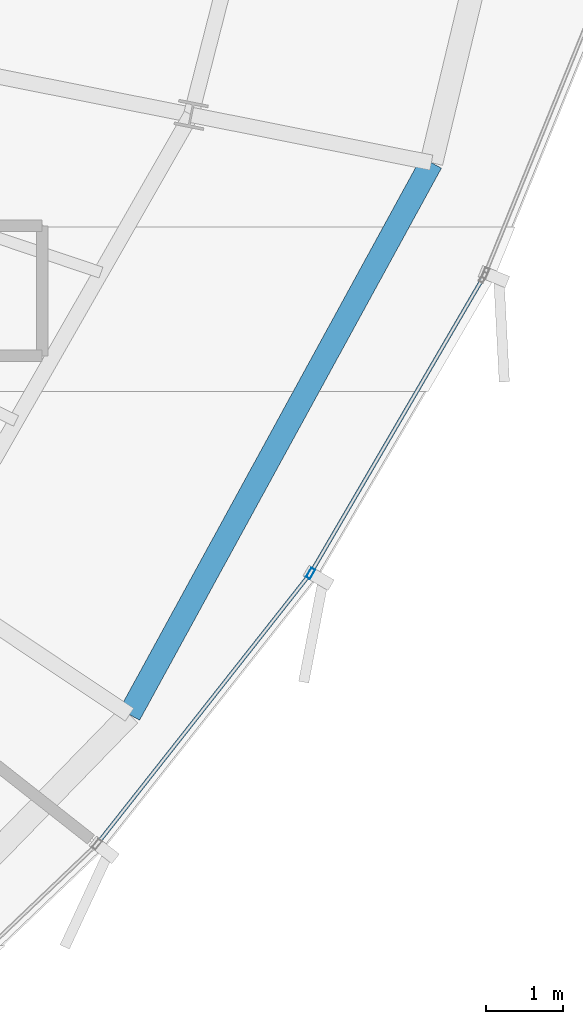
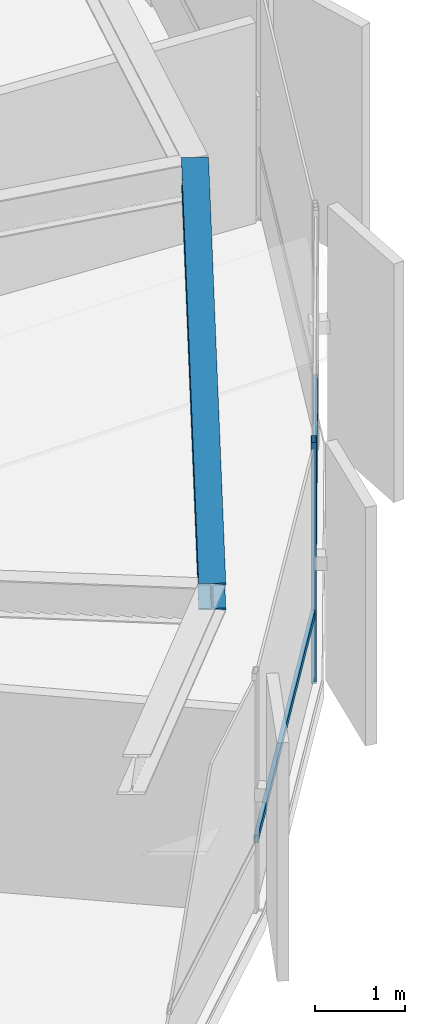
# One storey, part 15 of 35: 3 members, 1 beam, 1 element without a shape of its own.
"""IFC4 building model written with IfcOpenShell, lengths in metres."""

from ifc_helpers import new_model, si_unit, direction, frame, origin, origin_2d, place, context, subcontext, project, spatial, hollow_rectangle, i_section, extrude, source, transform, mapped, material, layer, layer_set, material_profile, profile_set, type_object, element, aggregate, save


model = new_model("IFC4")

# Units and contexts
model_context = context("Model", 3, precision=1e-05, world=origin(), true_north=direction((0.0, 1.0)))
body_context = subcontext(model_context, "Body", "Model", "MODEL_VIEW")
ifc_project = project(units=[si_unit("LENGTHUNIT", "METRE"), si_unit("AREAUNIT", "SQUARE_METRE"), si_unit("VOLUMEUNIT", "CUBIC_METRE"), si_unit("PLANEANGLEUNIT", "RADIAN"), si_unit("MASSUNIT", "GRAM", prefix="KILO"), si_unit("THERMODYNAMICTEMPERATUREUNIT", "KELVIN")], contexts=[model_context])

# Site, building, storey
site_placement = place(None, origin())
site = spatial("IfcSite", under=ifc_project, at=site_placement, CompositionType="ELEMENT")
building_placement = place(site_placement, origin())
building = spatial("IfcBuilding", under=site, at=building_placement, Name="Kethvar Cultural Tower", CompositionType="ELEMENT")
storey_placement = place(building_placement, frame((0.0, 0.0, 193.89990234375)))
storey = spatial("IfcBuildingStorey", under=building, at=storey_placement, Name="L50", CompositionType="ELEMENT", Elevation=193.89990234375)

# Beam
ifc_material_1 = material(Name="Steel S355J2", Category="steel")
ifc_material_profile_1 = material_profile(ifc_material_1, i_section(OverallWidth=0.300048828125, OverallDepth=0.360107421875, WebThickness=0.012451171875, FlangeThickness=0.0224609375, FilletRadius=0.027099609375, at=origin_2d()), Name="Steel S355J2 — HEB360")
ifc_profile_set_1 = profile_set([ifc_material_profile_1], Name="Steel S355J2 — HEB360")
beam_type = type_object("IfcBeamType", Name="BM-SP360", PredefinedType="SPANDREL", material=ifc_profile_set_1)
shared_shape_1 = source(origin(), body_context, "Body", "SweptSolid", [
    extrude(i_section(OverallWidth=0.300048828125, OverallDepth=0.360107421875, WebThickness=0.012451171875, FlangeThickness=0.0224609375, FilletRadius=0.027099609375, at=origin_2d()), origin(), (0.0, 0.0, 1.0), 8.22119140625),
])
beam_placement = place(storey_placement, frame((63.84326171875, 16.412109375, 3.078125), z_axis=(0.479721613821, 0.8774207504, 0.0), x_axis=(-0.8774207504, 0.479721613821, 0.0)))
element("IfcBeam", 1, at=beam_placement, inside=storey, type_object=beam_type, Name="L50 Perimeter Spandrel Beam SP-15", PredefinedType="SPANDREL", context=body_context, shape_type="MappedRepresentation", body=[
    mapped(shared_shape_1, transform((0.0, 0.0, 0.0), scale=1.0)),
])

# Curtain wall, members
ifc_material_2 = material(Name="Aluminium 6063-T6", Category="aluminium")
ifc_layer = layer(ifc_material_2, 0.179931640625, Name="Aluminium 6063-T6", Category="aluminium")
ifc_layer_set = layer_set([ifc_layer], Name="Aluminium 6063-T6 (180 mm)")
curtain_wall_type = type_object("IfcCurtainWallType", Name="CW-SYS-04-Z34", PredefinedType="NOTDEFINED", material=ifc_layer_set)
curtain_wall_placement = place(storey_placement, origin())
curtain_wall = element("IfcCurtainWall", 2, at=curtain_wall_placement, inside=storey, type_object=curtain_wall_type, Name="L50 Curtain Wall Run 05", PredefinedType="NOTDEFINED")
ifc_material_profile_2 = material_profile(ifc_material_2, hollow_rectangle(XDim=0.06005859375, YDim=0.139892578125, WallThickness=0.0048828125, at=origin_2d()), Name="Aluminium 6063-T6 — RHS140x60x5")
ifc_profile_set_2 = profile_set([ifc_material_profile_2], Name="Aluminium 6063-T6 — RHS140x60x5")
member_type_1 = type_object("IfcMemberType", Name="CW-SYS-04-Z34-MUL", PredefinedType="MULLION", material=ifc_profile_set_2)
shared_shape_2 = source(origin(), body_context, "Body", "SweptSolid", [
    extrude(hollow_rectangle(XDim=0.06005859375, YDim=0.139892578125, WallThickness=0.0048828125, at=origin_2d()), origin(), (0.0, 0.0, 1.0), 3.260009765625),
])
member_1_placement = place(storey_placement, frame((66.209716796875, 18.259765625, 0.0), z_axis=(0.0, 0.0, 1.0), x_axis=(-0.863694791291, 0.50401518578, 0.0)))
member_1 = element("IfcMember", 3, at=member_1_placement, type_object=member_type_1, Name="CW-L50-R05 Mullion 6", PredefinedType="MULLION", context=body_context, shape_type="MappedRepresentation", body=[
    mapped(shared_shape_2, transform((0.0, 0.0, 0.0), scale=1.0)),
])
ifc_material_profile_3 = material_profile(ifc_material_2, hollow_rectangle(XDim=0.050048828125, YDim=0.10009765625, WallThickness=0.00390625, at=origin_2d()), Name="Aluminium 6063-T6 — RHS100x50x4")
ifc_profile_set_3 = profile_set([ifc_material_profile_3], Name="Aluminium 6063-T6 — RHS100x50x4")
member_type_2 = type_object("IfcMemberType", Name="CW-SYS-04-Z34-TRN", PredefinedType="USERDEFINED", material=ifc_profile_set_3)
shared_shape_3 = source(origin(), body_context, "Body", "SweptSolid", [
    extrude(hollow_rectangle(XDim=0.050048828125, YDim=0.10009765625, WallThickness=0.00390625, at=origin_2d()), origin(), (0.0, 0.0, 1.0), 4.428955078125),
])
member_2_placement = place(storey_placement, frame((66.2314453125, 18.297119140625, 0.9501953125), z_axis=(0.504008117689, 0.863698915887, 0.0), x_axis=(-0.863698915887, 0.504008117689, 0.0)))
member_2 = element("IfcMember", 4, at=member_2_placement, type_object=member_type_2, Name="CW-L50-R05 Transom 6", ObjectType="TRANSOM", PredefinedType="USERDEFINED", context=body_context, shape_type="MappedRepresentation", body=[
    mapped(shared_shape_3, transform((0.0, 0.0, 0.0), scale=1.0)),
])
shared_shape_4 = source(origin(), body_context, "Body", "SweptSolid", [
    extrude(hollow_rectangle(XDim=0.050048828125, YDim=0.10009765625, WallThickness=0.00390625, at=origin_2d()), origin(), (0.0, 0.0, 1.0), 4.437744140625),
])
member_3_placement = place(storey_placement, frame((63.444091796875, 14.753662109375, 0.9501953125), z_axis=(0.619137571891, 0.785282539646, 0.0), x_axis=(-0.785282539646, 0.619137571891, 0.0)))
member_3 = element("IfcMember", 5, at=member_3_placement, type_object=member_type_2, Name="CW-L50-R05 Transom 5", ObjectType="TRANSOM", PredefinedType="USERDEFINED", context=body_context, shape_type="MappedRepresentation", body=[
    mapped(shared_shape_4, transform((0.0, 0.0, 0.0), scale=1.0)),
])
aggregate(curtain_wall, [member_1, member_3, member_2])

save(model, "model.ifc")
